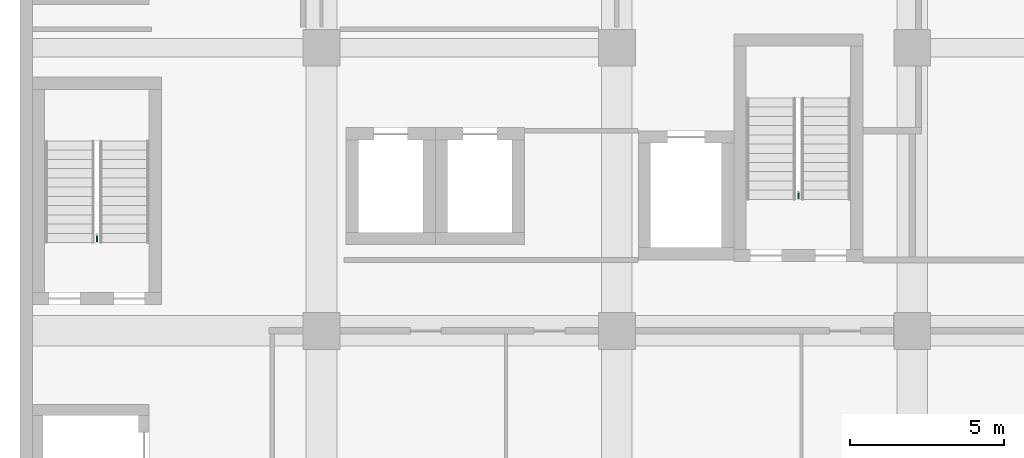
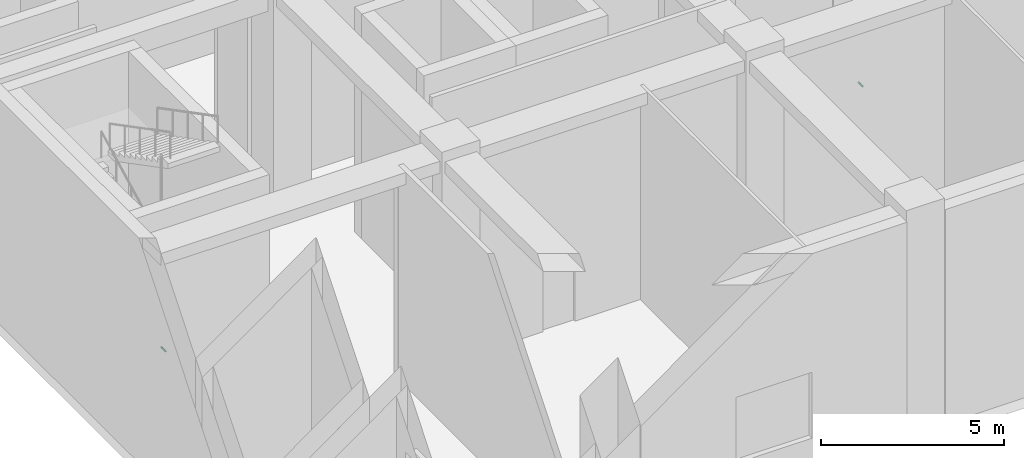
# One storey, part 31 of 36: 2 pipe fittings.
"""IFC4 building model written with IfcOpenShell, lengths in metres."""

import ifcopenshell
import ifcopenshell.guid

model = None  # the IFC model being written
_history = None  # IfcOwnerHistory: only IFC2X3 demands one
_inside = {}  # id of a spatial element -> (the spatial element, [elements in it])
_under = {}  # id of a project, library or spatial element -> (it, [spatial elements below it])
_declared = {}  # id of a project -> (the project, [libraries it declares])
_typed = {}  # id of a type object -> (the type object, [elements of that type])
_made_of = {}  # id of a material, layer set ... -> (it, [elements and type objects made of it])


def new_model(schema):
    """Start an empty IFC model of exactly this schema.

    Asked for "IFC4X3", IfcOpenShell would pick the latest addendum, in which some entities
    have other attributes; the version numbers below select the first issue.
    IFC2X3 requires an IfcOwnerHistory on every rooted entity: one is made here for all.
    """
    global model, _history
    if schema == "IFC4X3":
        model = ifcopenshell.file(schema_version=(4, 3, 0, 0))
    else:
        model = ifcopenshell.file(schema=schema)
    _inside.clear()
    _under.clear()
    _declared.clear()
    _typed.clear()
    _made_of.clear()
    _history = None
    if model.schema == "IFC2X3":
        org = make("IfcOrganization", Name="unknown")
        user = make(
            "IfcPersonAndOrganization",
            ThePerson=make("IfcPerson", FamilyName="unknown"),
            TheOrganization=org,
        )
        app = make(
            "IfcApplication",
            ApplicationDeveloper=org,
            Version="unknown",
            ApplicationFullName="unknown",
            ApplicationIdentifier="unknown",
        )
        _history = make(
            "IfcOwnerHistory",
            OwningUser=user,
            OwningApplication=app,
            ChangeAction="ADDED",
            CreationDate=0,
        )
    return model


def make(cls, **values):
    """One entity of the class cls with the attributes given. An attribute that is None is left unset."""
    return model.create_entity(
        cls, **{name: value for name, value in values.items() if value is not None}
    )


def rooted(cls, **values):
    """An entity with a GlobalId (a new one), such as an element, a storey or a relation."""
    return make(cls, GlobalId=ifcopenshell.guid.new(), OwnerHistory=_history, **values)


def si_unit(unit_type, name, prefix=None):
    """IfcSIUnit, for example si_unit("LENGTHUNIT", "METRE", prefix="MILLI")."""
    return make("IfcSIUnit", UnitType=unit_type, Prefix=prefix, Name=name)


def assignment(units):
    """IfcUnitAssignment: the units of a project."""
    return None if units is None else make("IfcUnitAssignment", Units=units)


def point(xyz):
    """IfcCartesianPoint."""
    return None if xyz is None else make("IfcCartesianPoint", Coordinates=xyz)


def direction(xyz):
    """IfcDirection."""
    return None if xyz is None else make("IfcDirection", DirectionRatios=xyz)


def frame(location, z_axis=None, x_axis=None):
    """IfcAxis2Placement3D, a coordinate frame: its origin and axes. An axis left out is left unset."""
    return make(
        "IfcAxis2Placement3D",
        Location=point(location),
        Axis=direction(z_axis),
        RefDirection=direction(x_axis),
    )


def frame_2d(location, x_axis=None):
    """IfcAxis2Placement2D, a coordinate frame in the plane: its origin and x axis."""
    return make(
        "IfcAxis2Placement2D", Location=point(location), RefDirection=direction(x_axis)
    )


def origin():
    """The frame at (0, 0, 0) with its axes left unset."""
    return frame((0.0, 0.0, 0.0))


def origin_2d():
    """The frame at (0, 0) in the plane with its x axis left unset."""
    return frame_2d((0.0, 0.0))


def place(relative_to, where):
    """IfcLocalPlacement: puts the frame where relative to a parent placement (None: the world)."""
    return make(
        "IfcLocalPlacement", PlacementRelTo=relative_to, RelativePlacement=where
    )


def context(
    kind, dimensions, precision=None, world=None, true_north=None, identifier=None
):
    """IfcGeometricRepresentationContext, for example the 3D "Model" context."""
    return make(
        "IfcGeometricRepresentationContext",
        ContextIdentifier=identifier,
        ContextType=kind,
        CoordinateSpaceDimension=dimensions,
        Precision=precision,
        WorldCoordinateSystem=world,
        TrueNorth=true_north,
    )


def subcontext(parent, identifier, kind, view, scale=None):
    """IfcGeometricRepresentationSubContext, for example "Body" below "Model"."""
    return make(
        "IfcGeometricRepresentationSubContext",
        ContextIdentifier=identifier,
        ContextType=kind,
        ParentContext=parent,
        TargetScale=scale,
        TargetView=view,
    )


def project(units=None, contexts=None):
    """IfcProject with its units and contexts."""
    return rooted(
        "IfcProject",
        Name="project",
        RepresentationContexts=contexts,
        UnitsInContext=assignment(units),
    )


def spatial(cls, under=None, at=None, **own):
    """A site, building, storey or space (cls), placed at a placement, below another one or the project."""
    s = rooted(cls, ObjectPlacement=at, **own)
    if under is not None:
        _under.setdefault(under.id(), (under, []))[1].append(s)
    return s


def profile(cls, at=None, kind="AREA", **sizes):
    """A parametric profile (cls). Its sizes go by their IFC names, for example OverallWidth=200.0."""
    return make(cls, ProfileType=kind, Position=at, **sizes)


def circle(**sizes):
    """IfcCircleProfileDef."""
    return profile("IfcCircleProfileDef", **sizes)


def extrude(swept, where, along, depth):
    """IfcExtrudedAreaSolid: the profile swept, set in the frame where, extruded along a direction by depth."""
    return make(
        "IfcExtrudedAreaSolid",
        SweptArea=swept,
        Position=where,
        ExtrudedDirection=direction(along),
        Depth=depth,
    )


def shape(context_of_items, identifier, shape_type, items):
    """IfcShapeRepresentation: the items that make up one representation, for example the "Body"."""
    return make(
        "IfcShapeRepresentation",
        ContextOfItems=context_of_items,
        RepresentationIdentifier=identifier,
        RepresentationType=shape_type,
        Items=items,
    )


def made_of(thing, what):
    """Note that an element or type object is made of a material, layer set ...; save() writes the relation."""
    if what is not None:
        _made_of.setdefault(what.id(), (what, []))[1].append(thing)
    return thing


def element(
    cls,
    number,
    at=None,
    inside=None,
    cuts=None,
    type_object=None,
    material=None,
    context=None,
    identifier="Body",
    shape_type=None,
    held_by="IfcProductDefinitionShape",
    body=None,
    shapes=None,
    **own,
):
    """One element of the class cls, such as IfcWall. Its Tag is "e" and its number.

    at: its placement. inside: the storey or other place that contains it. cuts: it is an
    opening in that element (IfcRelVoidsElement). A single representation is given by context,
    identifier, shape_type and body (its items); several are given by shapes. held_by: the class
    of the entity that holds the representations. save() writes the other relations.
    """
    e = rooted(cls, Tag="e%d" % number, ObjectPlacement=at, **own)
    if body is not None:
        shapes = [shape(context, identifier, shape_type, body)]
    if shapes is not None:
        e.Representation = make(held_by, Representations=shapes)
    if inside is not None:
        _inside.setdefault(inside.id(), (inside, []))[1].append(e)
    if cuts is not None:
        rooted(
            "IfcRelVoidsElement", RelatingBuildingElement=cuts, RelatedOpeningElement=e
        )
    if type_object is not None:
        _typed.setdefault(type_object.id(), (type_object, []))[1].append(e)
    return made_of(e, material)


def aggregate(whole, parts):
    """IfcRelAggregates: a whole, such as a stair, and the parts it consists of."""
    return rooted("IfcRelAggregates", RelatingObject=whole, RelatedObjects=parts)


def save(model, path):
    """Write the relations noted so far, then the file.

    IfcRelAggregates (storeys below a building ...), IfcRelContainedInSpatialStructure (elements
    in a storey), IfcRelDefinesByType, IfcRelAssociatesMaterial and IfcRelDeclares: one each for
    every whole, place, type object, material and project.
    """
    for whole, parts in _under.values():
        aggregate(whole, parts)
    for where, things in _inside.values():
        rooted(
            "IfcRelContainedInSpatialStructure",
            RelatedElements=things,
            RelatingStructure=where,
        )
    for kind, things in _typed.values():
        rooted("IfcRelDefinesByType", RelatedObjects=things, RelatingType=kind)
    for what, things in _made_of.values():
        rooted("IfcRelAssociatesMaterial", RelatedObjects=things, RelatingMaterial=what)
    for by, libraries in _declared.values():
        rooted("IfcRelDeclares", RelatingContext=by, RelatedDefinitions=libraries)
    model.write(path)


model = new_model("IFC4")

# Units and contexts
model_context = context("Model", 3, precision=1e-05, world=origin(), true_north=direction((0.0, 1.0)))
body_context = subcontext(model_context, "Body", "Model", "MODEL_VIEW")
ifc_project = project(units=[si_unit("LENGTHUNIT", "METRE"), si_unit("AREAUNIT", "SQUARE_METRE"), si_unit("VOLUMEUNIT", "CUBIC_METRE"), si_unit("PLANEANGLEUNIT", "RADIAN"), si_unit("MASSUNIT", "GRAM", prefix="KILO")], contexts=[model_context])

# Site, building, storey
site_placement = place(None, origin())
site = spatial("IfcSite", under=ifc_project, at=site_placement, CompositionType="ELEMENT")
building_placement = place(site_placement, origin())
building = spatial("IfcBuilding", under=site, at=building_placement, Name="Nzadi Deep Aquarium and Research Tower", CompositionType="ELEMENT")
storey_placement = place(building_placement, frame((0.0, 0.0, 14.199951171875)))
storey = spatial("IfcBuildingStorey", under=building, at=storey_placement, Name="L02", CompositionType="ELEMENT", Elevation=14.199951171875)

# Pipe fittings
for number, where, z_axis, x_axis, name in (
    (1, (2.300048828125, 12.320068359375, 1.10009765625), (0.0, -1.0, 0.0), (1.0, 0.0, 0.0), "Dry riser outlet ST-Z1-SW L02"),
    (2, (25.10009765625, 13.719970703125, 1.10009765625), (0.0, -1.0, 0.0), (1.0, 0.0, 0.0), "Dry riser outlet ST-Z1-SE L02"),
):
    element("IfcPipeFitting", number, at=place(storey_placement, frame(where, z_axis=z_axis, x_axis=x_axis)), inside=storey, Name=name, PredefinedType="EXIT", context=body_context, shape_type="SweptSolid", body=[
        extrude(circle(Radius=0.0224609375, at=origin_2d()), origin(), (0.0, 0.0, 1.0), 0.22998046875),
    ])

save(model, "model.ifc")
